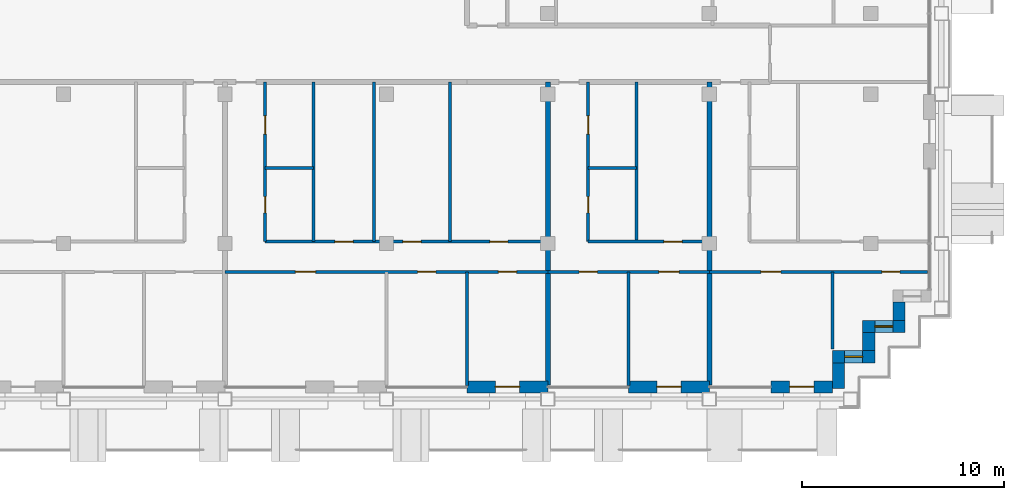
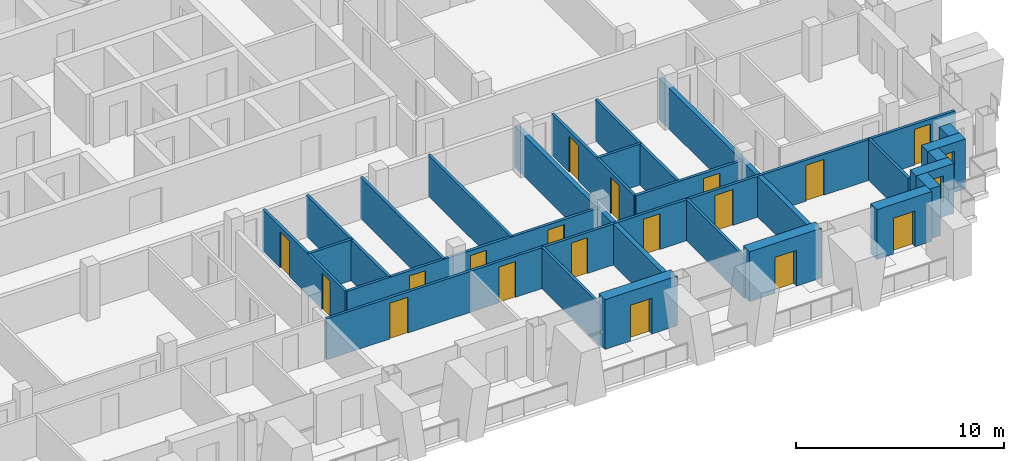
# One storey, part 9 of 16: 26 walls, 18 doors, 2 windows, 20 openings.
"""IFC4 building model written with IfcOpenShell, lengths in metres."""

from ifc_helpers import new_model, si_unit, direction, frame, frame_2d, origin, place, context, subcontext, project, spatial, rectangle, extrude, material, layer, layer_set, type_object, element, fill, save


model = new_model("IFC4")

# Units and contexts
model_context = context("Model", 3, precision=1e-05, world=origin(), true_north=direction((0.0, 1.0)))
body_context = subcontext(model_context, "Body", "Model", "MODEL_VIEW")
ifc_project = project(units=[si_unit("LENGTHUNIT", "METRE"), si_unit("AREAUNIT", "SQUARE_METRE"), si_unit("VOLUMEUNIT", "CUBIC_METRE"), si_unit("PLANEANGLEUNIT", "RADIAN"), si_unit("MASSUNIT", "GRAM", prefix="KILO")], contexts=[model_context])

# Site, building, storey
site_placement = place(None, origin())
site = spatial("IfcSite", under=ifc_project, at=site_placement, CompositionType="ELEMENT")
building_placement = place(site_placement, origin())
building = spatial("IfcBuilding", under=site, at=building_placement, Name="Vidyagriha Tower", CompositionType="ELEMENT")
storey_placement = place(building_placement, frame((0.0, 0.0, 178.10009765625)))
storey = spatial("IfcBuildingStorey", under=building, at=storey_placement, Name="L46", CompositionType="ELEMENT", Elevation=178.10009765625)

# Wall, opening, door
ifc_material_1 = material(Name="Precast concrete C40/50 with brick facing", Category="concrete")
ifc_layer_1 = layer(ifc_material_1, 0.60009765625)
ifc_layer_set_1 = layer_set([ifc_layer_1], Name="Precast concrete C40/50 with brick facing")
wall_type_1 = type_object("IfcWallType", Name="Brick-faced precast wall 600", PredefinedType="STANDARD", material=ifc_layer_set_1)
wall_1_placement = place(storey_placement, frame((14.0, -16.5, 0.0)))
wall_1 = element("IfcWall", 1, at=wall_1_placement, inside=storey, type_object=wall_type_1, Name="Brick door bay wall L46 R23.10", PredefinedType="STANDARD", context=body_context, shape_type="SweptSolid", body=[
    extrude(rectangle(XDim=4.0, YDim=0.60009765625, at=frame_2d((2.0, 0.0))), origin(), (0.0, 0.0, 1.0), 2.919921875),
])
opening_1_placement = place(wall_1_placement, frame((1.39990234375, 0.0, 0.0)))
opening_1 = element("IfcOpeningElement", 2, at=opening_1_placement, cuts=wall_1, Name="Opening D46-73", PredefinedType="OPENING", context=body_context, shape_type="SweptSolid", body=[
    extrude(rectangle(XDim=1.199951171875, YDim=2.10009765625, at=frame_2d((0.60009765625, 1.050048828125))), frame((0.0, 0.31005859375, 0.0), z_axis=(0.0, -1.0, 0.0), x_axis=(1.0, 0.0, 0.0)), (0.0, 0.0, 1.0), 0.6201171875),
])
ifc_material_2 = material(Name="Aluminium framed glazed sliding door", Category="aluminium")
door_type_1 = type_object("IfcDoorType", Name="Balcony sliding door 1200x2100", OperationType="NOTDEFINED", PredefinedType="DOOR", material=ifc_material_2)
door_1_placement = place(opening_1_placement, origin())
door_1 = element("IfcDoor", 3, at=door_1_placement, inside=storey, type_object=door_type_1, Name="Door D46-73", OperationType="SLIDING_TO_LEFT", OverallHeight=2.10009765625, OverallWidth=1.199951171875, PredefinedType="DOOR", context=body_context, shape_type="SweptSolid", body=[
    extrude(rectangle(XDim=1.199951171875, YDim=2.10009765625, at=frame_2d((0.60009765625, 1.050048828125))), frame((0.0, 0.02490234375, 0.0), z_axis=(0.0, -1.0, 0.0), x_axis=(1.0, 0.0, 0.0)), (0.0, 0.0, 1.0), 0.050048828125),
])
fill(opening_1, door_1)

wall_2_placement = place(storey_placement, frame((22.0, -16.5, 0.0)))
wall_2 = element("IfcWall", 4, at=wall_2_placement, inside=storey, type_object=wall_type_1, Name="Brick door bay wall L46 R23.12", PredefinedType="STANDARD", context=body_context, shape_type="SweptSolid", body=[
    extrude(rectangle(XDim=4.0, YDim=0.60009765625, at=frame_2d((2.0, 0.0))), origin(), (0.0, 0.0, 1.0), 2.919921875),
])
opening_2_placement = place(wall_2_placement, frame((1.39990234375, 0.0, 0.0)))
opening_2 = element("IfcOpeningElement", 5, at=opening_2_placement, cuts=wall_2, Name="Opening D46-74", PredefinedType="OPENING", context=body_context, shape_type="SweptSolid", body=[
    extrude(rectangle(XDim=1.199951171875, YDim=2.10009765625, at=frame_2d((0.60009765625, 1.050048828125))), frame((0.0, 0.31005859375, 0.0), z_axis=(0.0, -1.0, 0.0), x_axis=(1.0, 0.0, 0.0)), (0.0, 0.0, 1.0), 0.6201171875),
])
door_2_placement = place(opening_2_placement, origin())
door_2 = element("IfcDoor", 6, at=door_2_placement, inside=storey, type_object=door_type_1, Name="Door D46-74", OperationType="SLIDING_TO_LEFT", OverallHeight=2.10009765625, OverallWidth=1.199951171875, PredefinedType="DOOR", context=body_context, shape_type="SweptSolid", body=[
    extrude(rectangle(XDim=1.199951171875, YDim=2.10009765625, at=frame_2d((0.60009765625, 1.050048828125))), frame((0.0, 0.02490234375, 0.0), z_axis=(0.0, -1.0, 0.0), x_axis=(1.0, 0.0, 0.0)), (0.0, 0.0, 1.0), 0.050048828125),
])
fill(opening_2, door_2)

wall_3_placement = place(storey_placement, frame((29.050048828125, -16.5, 0.0)))
wall_3 = element("IfcWall", 7, at=wall_3_placement, inside=storey, type_object=wall_type_1, Name="Brick door bay wall L46 R23.14", PredefinedType="STANDARD", context=body_context, shape_type="SweptSolid", body=[
    extrude(rectangle(XDim=3.050048828125, YDim=0.60009765625, at=frame_2d((1.52490234375, 0.0))), origin(), (0.0, 0.0, 1.0), 2.919921875),
])
opening_3_placement = place(wall_3_placement, frame((0.925048828125, 0.0, 0.0)))
opening_3 = element("IfcOpeningElement", 8, at=opening_3_placement, cuts=wall_3, Name="Opening D46-75", PredefinedType="OPENING", context=body_context, shape_type="SweptSolid", body=[
    extrude(rectangle(XDim=1.199951171875, YDim=2.10009765625, at=frame_2d((0.60009765625, 1.050048828125))), frame((0.0, 0.31005859375, 0.0), z_axis=(0.0, -1.0, 0.0), x_axis=(1.0, 0.0, 0.0)), (0.0, 0.0, 1.0), 0.6201171875),
])
door_3_placement = place(opening_3_placement, origin())
door_3 = element("IfcDoor", 9, at=door_3_placement, inside=storey, type_object=door_type_1, Name="Door D46-75", OperationType="SLIDING_TO_LEFT", OverallHeight=2.10009765625, OverallWidth=1.199951171875, PredefinedType="DOOR", context=body_context, shape_type="SweptSolid", body=[
    extrude(rectangle(XDim=1.199951171875, YDim=2.10009765625, at=frame_2d((0.60009765625, 1.050048828125))), frame((0.0, 0.02490234375, 0.0), z_axis=(0.0, -1.0, 0.0), x_axis=(1.0, 0.0, 0.0)), (0.0, 0.0, 1.0), 0.050048828125),
])
fill(opening_3, door_3)

# Wall
wall_4_placement = place(storey_placement, frame((32.39990234375, -16.580078125, 0.0), z_axis=(0.0, 0.0, 1.0), x_axis=(0.0, 1.0, 0.0)))
element("IfcWall", 10, at=wall_4_placement, inside=storey, type_object=wall_type_1, Name="Stepped corner wall L46 R24", PredefinedType="STANDARD", context=body_context, shape_type="SweptSolid", body=[
    extrude(rectangle(XDim=1.280029296875, YDim=0.60009765625, at=frame_2d((0.64013671875, 0.0))), origin(), (0.0, 0.0, 1.0), 2.919921875),
])

# Wall, opening, window
wall_5_placement = place(storey_placement, frame((32.10009765625, -15.0, 0.0)))
wall_5 = element("IfcWall", 11, at=wall_5_placement, inside=storey, type_object=wall_type_1, Name="Stepped corner wall L46 R25", PredefinedType="STANDARD", context=body_context, shape_type="SweptSolid", body=[
    extrude(rectangle(XDim=2.099853515625, YDim=0.60009765625, at=frame_2d((1.0498046875, 0.0))), origin(), (0.0, 0.0, 1.0), 2.919921875),
])
opening_4_placement = place(wall_5_placement, frame((0.60009765625, 0.0, 0.89990234375)))
opening_4 = element("IfcOpeningElement", 12, at=opening_4_placement, cuts=wall_5, Name="Opening WN1", PredefinedType="OPENING", context=body_context, shape_type="SweptSolid", body=[
    extrude(rectangle(XDim=0.89990234375, YDim=1.5, at=frame_2d((0.449951171875, 0.75))), frame((0.0, 0.31005859375, 0.0), z_axis=(0.0, -1.0, 0.0), x_axis=(1.0, 0.0, 0.0)), (0.0, 0.0, 1.0), 0.6201171875),
])
ifc_material_3 = material(Name="Aluminium and glass window", Category="aluminium")
window_type = type_object("IfcWindowType", Name="Reveal window 900x1500", PartitioningType="NOTDEFINED", PredefinedType="WINDOW", material=ifc_material_3)
window_1_placement = place(opening_4_placement, origin())
window_1 = element("IfcWindow", 13, at=window_1_placement, inside=storey, type_object=window_type, Name="Reveal window L46 R25", OverallHeight=1.5, OverallWidth=0.89990234375, PartitioningType="SINGLE_PANEL", PredefinedType="WINDOW", context=body_context, shape_type="SweptSolid", body=[
    extrude(rectangle(XDim=0.89990234375, YDim=1.5, at=frame_2d((0.449951171875, 0.75))), frame((0.0, 0.030029296875, 0.0), z_axis=(0.0, -1.0, 0.0), x_axis=(1.0, 0.0, 0.0)), (0.0, 0.0, 1.0), 0.06005859375),
])
fill(opening_4, window_1)

# Wall
wall_6_placement = place(storey_placement, frame((33.89990234375, -14.699951171875, 0.0), z_axis=(0.0, 0.0, 1.0), x_axis=(0.0, 1.0, 0.0)))
element("IfcWall", 14, at=wall_6_placement, inside=storey, type_object=wall_type_1, Name="Stepped corner wall L46 R26", PredefinedType="STANDARD", context=body_context, shape_type="SweptSolid", body=[
    extrude(rectangle(XDim=0.89990234375, YDim=0.60009765625, at=frame_2d((0.449951171875, 0.0))), origin(), (0.0, 0.0, 1.0), 2.919921875),
])

# Wall, opening, window
wall_7_placement = place(storey_placement, frame((33.60009765625, -13.5, 0.0)))
wall_7 = element("IfcWall", 15, at=wall_7_placement, inside=storey, type_object=wall_type_1, Name="Stepped corner wall L46 R27", PredefinedType="STANDARD", context=body_context, shape_type="SweptSolid", body=[
    extrude(rectangle(XDim=2.099853515625, YDim=0.60009765625, at=frame_2d((1.0498046875, 0.0))), origin(), (0.0, 0.0, 1.0), 2.919921875),
])
opening_5_placement = place(wall_7_placement, frame((0.60009765625, 0.0, 0.89990234375)))
opening_5 = element("IfcOpeningElement", 16, at=opening_5_placement, cuts=wall_7, Name="Opening WN1", PredefinedType="OPENING", context=body_context, shape_type="SweptSolid", body=[
    extrude(rectangle(XDim=0.89990234375, YDim=1.5, at=frame_2d((0.449951171875, 0.75))), frame((0.0, 0.31005859375, 0.0), z_axis=(0.0, -1.0, 0.0), x_axis=(1.0, 0.0, 0.0)), (0.0, 0.0, 1.0), 0.6201171875),
])
window_2_placement = place(opening_5_placement, origin())
window_2 = element("IfcWindow", 17, at=window_2_placement, inside=storey, type_object=window_type, Name="Reveal window L46 R27", OverallHeight=1.5, OverallWidth=0.89990234375, PartitioningType="SINGLE_PANEL", PredefinedType="WINDOW", context=body_context, shape_type="SweptSolid", body=[
    extrude(rectangle(XDim=0.89990234375, YDim=1.5, at=frame_2d((0.449951171875, 0.75))), frame((0.0, 0.030029296875, 0.0), z_axis=(0.0, -1.0, 0.0), x_axis=(1.0, 0.0, 0.0)), (0.0, 0.0, 1.0), 0.06005859375),
])
fill(opening_5, window_2)

# Walls
wall_8_placement = place(storey_placement, frame((35.39990234375, -13.199951171875, 0.0), z_axis=(0.0, 0.0, 1.0), x_axis=(0.0, 1.0, 0.0)))
element("IfcWall", 18, at=wall_8_placement, inside=storey, type_object=wall_type_1, Name="Stepped corner wall L46 R28", PredefinedType="STANDARD", context=body_context, shape_type="SweptSolid", body=[
    extrude(rectangle(XDim=0.89990234375, YDim=0.60009765625, at=frame_2d((0.449951171875, 0.0))), origin(), (0.0, 0.0, 1.0), 2.919921875),
])
ifc_material_4 = material(Name="Fired clay brick masonry", Category="masonry")
ifc_layer_2 = layer(ifc_material_4, 0.25)
ifc_layer_set_2 = layer_set([ifc_layer_2], Name="Fired clay brick masonry")
wall_type_2 = type_object("IfcWallType", Name="Fired clay brick demising wall 250", PredefinedType="PARTITIONING", material=ifc_layer_set_2)
for number, where, z_axis, x_axis, name in (
    (19, (18.0, -1.39990234375, 0.0), (0.0, 0.0, 1.0), (0.0, -1.0, 0.0), "Wall all-L46-w054"),
    (20, (26.0, -1.39990234375, 0.0), (0.0, 0.0, 1.0), (0.0, -1.0, 0.0), "Wall all-L46-w067"),
):
    element("IfcWall", number, at=place(storey_placement, frame(where, z_axis=z_axis, x_axis=x_axis)), inside=storey, type_object=wall_type_2, Name=name, PredefinedType="PARTITIONING", context=body_context, shape_type="SweptSolid", body=[
        extrude(rectangle(XDim=15.010009765625, YDim=0.25, at=frame_2d((7.5048828125, 0.0))), origin(), (0.0, 0.0, 1.0), 2.39990234375),
    ])
ifc_material_5 = material(Name="Gypsum board partition")
ifc_layer_3 = layer(ifc_material_5, 0.14990234375)
ifc_layer_set_3 = layer_set([ifc_layer_3], Name="Gypsum board partition")
wall_type_3 = type_object("IfcWallType", Name="Gypsum board partition 150", PredefinedType="PARTITIONING", material=ifc_layer_set_3)
wall_9_placement = place(storey_placement, frame((6.39990234375, -5.64990234375, 0.0), z_axis=(0.0, 0.0, 1.0), x_axis=(-1.0, 0.0, 0.0)))
element("IfcWall", 21, at=wall_9_placement, inside=storey, type_object=wall_type_3, Name="Wall all-L46-w026", PredefinedType="PARTITIONING", context=body_context, shape_type="SweptSolid", body=[
    extrude(rectangle(XDim=2.39990234375, YDim=0.14990234375, at=frame_2d((1.199951171875, 0.0))), origin(), (0.0, 0.0, 1.0), 2.39990234375),
])
for number, where, z_axis, x_axis, name in (
    (22, (6.39990234375, -1.39990234375, 0.0), (0.0, 0.0, 1.0), (0.0, -1.0, 0.0), "Wall all-L46-w027"),
    (23, (9.39990234375, -1.39990234375, 0.0), (0.0, 0.0, 1.0), (0.0, -1.0, 0.0), "Wall all-L46-w028"),
    (24, (13.14990234375, -1.39990234375, 0.0), (0.0, 0.0, 1.0), (0.0, -1.0, 0.0), "Wall all-L46-w029"),
):
    element("IfcWall", number, at=place(storey_placement, frame(where, z_axis=z_axis, x_axis=x_axis)), inside=storey, type_object=wall_type_3, Name=name, PredefinedType="PARTITIONING", context=body_context, shape_type="SweptSolid", body=[
        extrude(rectangle(XDim=7.900146484375, YDim=0.14990234375, at=frame_2d((3.9501953125, 0.0))), origin(), (0.0, 0.0, 1.0), 2.39990234375),
    ])

# Wall, openings, doors
wall_10_placement = place(storey_placement, frame((4.0, -9.300048828125, 0.0)))
wall_10 = element("IfcWall", 25, at=wall_10_placement, inside=storey, type_object=wall_type_3, Name="Wall all-L46-w030", PredefinedType="PARTITIONING", context=body_context, shape_type="SweptSolid", body=[
    extrude(rectangle(XDim=14.0, YDim=0.14990234375, at=frame_2d((7.0, 0.0))), origin(), (0.0, 0.0, 1.0), 2.39990234375),
])
opening_6_placement = place(wall_10_placement, frame((3.449951171875, 0.0, 0.0)))
opening_6 = element("IfcOpeningElement", 26, at=opening_6_placement, cuts=wall_10, Name="Opening D46-31", PredefinedType="OPENING", context=body_context, shape_type="SweptSolid", body=[
    extrude(rectangle(XDim=0.89990234375, YDim=2.10009765625, at=frame_2d((0.449951171875, 1.050048828125))), frame((0.0, 0.0849609375, 0.0), z_axis=(0.0, -1.0, 0.0), x_axis=(1.0, 0.0, 0.0)), (0.0, 0.0, 1.0), 0.169921875),
])
opening_7_placement = place(wall_10_placement, frame((6.824951171875, 0.0, 0.0)))
opening_7 = element("IfcOpeningElement", 27, at=opening_7_placement, cuts=wall_10, Name="Opening D46-32", PredefinedType="OPENING", context=body_context, shape_type="SweptSolid", body=[
    extrude(rectangle(XDim=0.89990234375, YDim=2.10009765625, at=frame_2d((0.449951171875, 1.050048828125))), frame((0.0, 0.0849609375, 0.0), z_axis=(0.0, -1.0, 0.0), x_axis=(1.0, 0.0, 0.0)), (0.0, 0.0, 1.0), 0.169921875),
])
opening_8_placement = place(wall_10_placement, frame((11.125, 0.0, 0.0)))
opening_8 = element("IfcOpeningElement", 28, at=opening_8_placement, cuts=wall_10, Name="Opening D46-33", PredefinedType="OPENING", context=body_context, shape_type="SweptSolid", body=[
    extrude(rectangle(XDim=0.89990234375, YDim=2.10009765625, at=frame_2d((0.449951171875, 1.050048828125))), frame((0.0, 0.0849609375, 0.0), z_axis=(0.0, -1.0, 0.0), x_axis=(1.0, 0.0, 0.0)), (0.0, 0.0, 1.0), 0.169921875),
])
ifc_material_6 = material(Name="Timber door leaf", Category="wood")
door_type_2 = type_object("IfcDoorType", Name="Room door 900x2100", OperationType="NOTDEFINED", PredefinedType="DOOR", material=ifc_material_6)
door_4_placement = place(opening_6_placement, origin())
door_4 = element("IfcDoor", 29, at=door_4_placement, inside=storey, type_object=door_type_2, Name="Door D46-31", OperationType="SINGLE_SWING_RIGHT", OverallHeight=2.10009765625, OverallWidth=0.89990234375, PredefinedType="DOOR", context=body_context, shape_type="SweptSolid", body=[
    extrude(rectangle(XDim=0.89990234375, YDim=2.10009765625, at=frame_2d((0.449951171875, 1.050048828125))), frame((0.0, 0.02490234375, 0.0), z_axis=(0.0, -1.0, 0.0), x_axis=(1.0, 0.0, 0.0)), (0.0, 0.0, 1.0), 0.050048828125),
])
fill(opening_6, door_4)
door_5_placement = place(opening_7_placement, origin())
door_5 = element("IfcDoor", 30, at=door_5_placement, inside=storey, type_object=door_type_2, Name="Door D46-32", OperationType="SINGLE_SWING_RIGHT", OverallHeight=2.10009765625, OverallWidth=0.89990234375, PredefinedType="DOOR", context=body_context, shape_type="SweptSolid", body=[
    extrude(rectangle(XDim=0.89990234375, YDim=2.10009765625, at=frame_2d((0.449951171875, 1.050048828125))), frame((0.0, 0.02490234375, 0.0), z_axis=(0.0, -1.0, 0.0), x_axis=(1.0, 0.0, 0.0)), (0.0, 0.0, 1.0), 0.050048828125),
])
fill(opening_7, door_5)
door_6_placement = place(opening_8_placement, origin())
door_6 = element("IfcDoor", 31, at=door_6_placement, inside=storey, type_object=door_type_2, Name="Door D46-33", OperationType="SINGLE_SWING_LEFT", OverallHeight=2.10009765625, OverallWidth=0.89990234375, PredefinedType="DOOR", context=body_context, shape_type="SweptSolid", body=[
    extrude(rectangle(XDim=0.89990234375, YDim=2.10009765625, at=frame_2d((0.449951171875, 1.050048828125))), frame((0.0, 0.02490234375, 0.0), z_axis=(0.0, -1.0, 0.0), x_axis=(1.0, 0.0, 0.0)), (0.0, 0.0, 1.0), 0.050048828125),
])
fill(opening_8, door_6)

wall_11_placement = place(storey_placement, frame((18.0, -10.800048828125, 0.0), z_axis=(0.0, 0.0, 1.0), x_axis=(-1.0, 0.0, 0.0)))
wall_11 = element("IfcWall", 32, at=wall_11_placement, inside=storey, type_object=wall_type_3, Name="Wall all-L46-w034", PredefinedType="PARTITIONING", context=body_context, shape_type="SweptSolid", body=[
    extrude(rectangle(XDim=16.0, YDim=0.14990234375, at=frame_2d((8.0, 0.0))), origin(), (0.0, 0.0, 1.0), 2.39990234375),
])
opening_9_placement = place(wall_11_placement, frame((11.5, 0.0, 0.0)))
opening_9 = element("IfcOpeningElement", 33, at=opening_9_placement, cuts=wall_11, Name="Opening D46-34", PredefinedType="OPENING", context=body_context, shape_type="SweptSolid", body=[
    extrude(rectangle(XDim=1.0, YDim=2.10009765625, at=frame_2d((0.5, 1.050048828125))), frame((0.0, 0.0849609375, 0.0), z_axis=(0.0, -1.0, 0.0), x_axis=(1.0, 0.0, 0.0)), (0.0, 0.0, 1.0), 0.169921875),
])
opening_10_placement = place(wall_11_placement, frame((5.550048828125, 0.0, 0.0)))
opening_10 = element("IfcOpeningElement", 34, at=opening_10_placement, cuts=wall_11, Name="Opening D46-35", PredefinedType="OPENING", context=body_context, shape_type="SweptSolid", body=[
    extrude(rectangle(XDim=0.89990234375, YDim=2.10009765625, at=frame_2d((0.449951171875, 1.050048828125))), frame((0.0, 0.0849609375, 0.0), z_axis=(0.0, -1.0, 0.0), x_axis=(1.0, 0.0, 0.0)), (0.0, 0.0, 1.0), 0.169921875),
])
opening_11_placement = place(wall_11_placement, frame((1.550048828125, 0.0, 0.0)))
opening_11 = element("IfcOpeningElement", 35, at=opening_11_placement, cuts=wall_11, Name="Opening D46-36", PredefinedType="OPENING", context=body_context, shape_type="SweptSolid", body=[
    extrude(rectangle(XDim=0.89990234375, YDim=2.10009765625, at=frame_2d((0.449951171875, 1.050048828125))), frame((0.0, 0.0849609375, 0.0), z_axis=(0.0, -1.0, 0.0), x_axis=(1.0, 0.0, 0.0)), (0.0, 0.0, 1.0), 0.169921875),
])
ifc_material_7 = material(Name="Timber door leaf", Category="wood")
door_type_3 = type_object("IfcDoorType", Name="Room door 1000x2100", OperationType="NOTDEFINED", PredefinedType="DOOR", material=ifc_material_7)
door_7_placement = place(opening_9_placement, origin())
door_7 = element("IfcDoor", 36, at=door_7_placement, inside=storey, type_object=door_type_3, Name="Door D46-34", OperationType="SINGLE_SWING_RIGHT", OverallHeight=2.10009765625, OverallWidth=1.0, PredefinedType="DOOR", context=body_context, shape_type="SweptSolid", body=[
    extrude(rectangle(XDim=1.0, YDim=2.10009765625, at=frame_2d((0.5, 1.050048828125))), frame((0.0, 0.02490234375, 0.0), z_axis=(0.0, -1.0, 0.0), x_axis=(1.0, 0.0, 0.0)), (0.0, 0.0, 1.0), 0.050048828125),
])
fill(opening_9, door_7)
door_8_placement = place(opening_10_placement, origin())
door_8 = element("IfcDoor", 37, at=door_8_placement, inside=storey, type_object=door_type_2, Name="Door D46-35", OperationType="SINGLE_SWING_RIGHT", OverallHeight=2.10009765625, OverallWidth=0.89990234375, PredefinedType="DOOR", context=body_context, shape_type="SweptSolid", body=[
    extrude(rectangle(XDim=0.89990234375, YDim=2.10009765625, at=frame_2d((0.449951171875, 1.050048828125))), frame((0.0, 0.02490234375, 0.0), z_axis=(0.0, -1.0, 0.0), x_axis=(1.0, 0.0, 0.0)), (0.0, 0.0, 1.0), 0.050048828125),
])
fill(opening_10, door_8)
door_9_placement = place(opening_11_placement, origin())
door_9 = element("IfcDoor", 38, at=door_9_placement, inside=storey, type_object=door_type_2, Name="Door D46-36", OperationType="SINGLE_SWING_RIGHT", OverallHeight=2.10009765625, OverallWidth=0.89990234375, PredefinedType="DOOR", context=body_context, shape_type="SweptSolid", body=[
    extrude(rectangle(XDim=0.89990234375, YDim=2.10009765625, at=frame_2d((0.449951171875, 1.050048828125))), frame((0.0, 0.02490234375, 0.0), z_axis=(0.0, -1.0, 0.0), x_axis=(1.0, 0.0, 0.0)), (0.0, 0.0, 1.0), 0.050048828125),
])
fill(opening_11, door_9)

# Walls
wall_12_placement = place(storey_placement, frame((14.0, -10.800048828125, 0.0), z_axis=(0.0, 0.0, 1.0), x_axis=(0.0, -1.0, 0.0)))
element("IfcWall", 39, at=wall_12_placement, inside=storey, type_object=wall_type_3, Name="Wall all-L46-w039", PredefinedType="PARTITIONING", context=body_context, shape_type="SweptSolid", body=[
    extrude(rectangle(XDim=5.620849609375, YDim=0.14990234375, at=frame_2d((2.810546875, 0.0))), origin(), (0.0, 0.0, 1.0), 2.39990234375),
])
wall_13_placement = place(storey_placement, frame((22.39990234375, -5.64990234375, 0.0), z_axis=(0.0, 0.0, 1.0), x_axis=(-1.0, 0.0, 0.0)))
element("IfcWall", 40, at=wall_13_placement, inside=storey, type_object=wall_type_3, Name="Wall all-L46-w045", PredefinedType="PARTITIONING", context=body_context, shape_type="SweptSolid", body=[
    extrude(rectangle(XDim=2.39990234375, YDim=0.14990234375, at=frame_2d((1.199951171875, 0.0))), origin(), (0.0, 0.0, 1.0), 2.39990234375),
])
wall_14_placement = place(storey_placement, frame((22.39990234375, -1.39990234375, 0.0), z_axis=(0.0, 0.0, 1.0), x_axis=(0.0, -1.0, 0.0)))
element("IfcWall", 41, at=wall_14_placement, inside=storey, type_object=wall_type_3, Name="Wall all-L46-w046", PredefinedType="PARTITIONING", context=body_context, shape_type="SweptSolid", body=[
    extrude(rectangle(XDim=7.900146484375, YDim=0.14990234375, at=frame_2d((3.9501953125, 0.0))), origin(), (0.0, 0.0, 1.0), 2.39990234375),
])

# Wall, opening, door
wall_15_placement = place(storey_placement, frame((20.0, -9.300048828125, 0.0)))
wall_15 = element("IfcWall", 42, at=wall_15_placement, inside=storey, type_object=wall_type_3, Name="Wall all-L46-w047", PredefinedType="PARTITIONING", context=body_context, shape_type="SweptSolid", body=[
    extrude(rectangle(XDim=6.0, YDim=0.14990234375, at=frame_2d((3.0, 0.0))), origin(), (0.0, 0.0, 1.0), 2.39990234375),
])
opening_12_placement = place(wall_15_placement, frame((3.75, 0.0, 0.0)))
opening_12 = element("IfcOpeningElement", 43, at=opening_12_placement, cuts=wall_15, Name="Opening D46-40", PredefinedType="OPENING", context=body_context, shape_type="SweptSolid", body=[
    extrude(rectangle(XDim=0.89990234375, YDim=2.10009765625, at=frame_2d((0.449951171875, 1.050048828125))), frame((0.0, 0.0849609375, 0.0), z_axis=(0.0, -1.0, 0.0), x_axis=(1.0, 0.0, 0.0)), (0.0, 0.0, 1.0), 0.169921875),
])
door_10_placement = place(opening_12_placement, origin())
door_10 = element("IfcDoor", 44, at=door_10_placement, inside=storey, type_object=door_type_2, Name="Door D46-40", OperationType="SINGLE_SWING_RIGHT", OverallHeight=2.10009765625, OverallWidth=0.89990234375, PredefinedType="DOOR", context=body_context, shape_type="SweptSolid", body=[
    extrude(rectangle(XDim=0.89990234375, YDim=2.10009765625, at=frame_2d((0.449951171875, 1.050048828125))), frame((0.0, 0.02490234375, 0.0), z_axis=(0.0, -1.0, 0.0), x_axis=(1.0, 0.0, 0.0)), (0.0, 0.0, 1.0), 0.050048828125),
])
fill(opening_12, door_10)

# Wall, openings, doors
wall_16_placement = place(storey_placement, frame((26.0, -10.800048828125, 0.0), z_axis=(0.0, 0.0, 1.0), x_axis=(-1.0, 0.0, 0.0)))
wall_16 = element("IfcWall", 45, at=wall_16_placement, inside=storey, type_object=wall_type_3, Name="Wall all-L46-w049", PredefinedType="PARTITIONING", context=body_context, shape_type="SweptSolid", body=[
    extrude(rectangle(XDim=8.0, YDim=0.14990234375, at=frame_2d((4.0, 0.0))), origin(), (0.0, 0.0, 1.0), 2.39990234375),
])
opening_13_placement = place(wall_16_placement, frame((5.550048828125, 0.0, 0.0)))
opening_13 = element("IfcOpeningElement", 46, at=opening_13_placement, cuts=wall_16, Name="Opening D46-41", PredefinedType="OPENING", context=body_context, shape_type="SweptSolid", body=[
    extrude(rectangle(XDim=0.89990234375, YDim=2.10009765625, at=frame_2d((0.449951171875, 1.050048828125))), frame((0.0, 0.0849609375, 0.0), z_axis=(0.0, -1.0, 0.0), x_axis=(1.0, 0.0, 0.0)), (0.0, 0.0, 1.0), 0.169921875),
])
opening_14_placement = place(wall_16_placement, frame((1.5, 0.0, 0.0)))
opening_14 = element("IfcOpeningElement", 47, at=opening_14_placement, cuts=wall_16, Name="Opening D46-42", PredefinedType="OPENING", context=body_context, shape_type="SweptSolid", body=[
    extrude(rectangle(XDim=1.0, YDim=2.10009765625, at=frame_2d((0.5, 1.050048828125))), frame((0.0, 0.0849609375, 0.0), z_axis=(0.0, -1.0, 0.0), x_axis=(1.0, 0.0, 0.0)), (0.0, 0.0, 1.0), 0.169921875),
])
door_11_placement = place(opening_14_placement, origin())
door_11 = element("IfcDoor", 48, at=door_11_placement, inside=storey, type_object=door_type_3, Name="Door D46-42", OperationType="SINGLE_SWING_RIGHT", OverallHeight=2.10009765625, OverallWidth=1.0, PredefinedType="DOOR", context=body_context, shape_type="SweptSolid", body=[
    extrude(rectangle(XDim=1.0, YDim=2.10009765625, at=frame_2d((0.5, 1.050048828125))), frame((0.0, 0.02490234375, 0.0), z_axis=(0.0, -1.0, 0.0), x_axis=(1.0, 0.0, 0.0)), (0.0, 0.0, 1.0), 0.050048828125),
])
fill(opening_14, door_11)
door_12_placement = place(opening_13_placement, origin())
door_12 = element("IfcDoor", 49, at=door_12_placement, inside=storey, type_object=door_type_2, Name="Door D46-41", OperationType="SINGLE_SWING_RIGHT", OverallHeight=2.10009765625, OverallWidth=0.89990234375, PredefinedType="DOOR", context=body_context, shape_type="SweptSolid", body=[
    extrude(rectangle(XDim=0.89990234375, YDim=2.10009765625, at=frame_2d((0.449951171875, 1.050048828125))), frame((0.0, 0.02490234375, 0.0), z_axis=(0.0, -1.0, 0.0), x_axis=(1.0, 0.0, 0.0)), (0.0, 0.0, 1.0), 0.050048828125),
])
fill(opening_13, door_12)

# Wall
wall_17_placement = place(storey_placement, frame((22.0, -10.800048828125, 0.0), z_axis=(0.0, 0.0, 1.0), x_axis=(0.0, -1.0, 0.0)))
element("IfcWall", 50, at=wall_17_placement, inside=storey, type_object=wall_type_3, Name="Wall all-L46-w052", PredefinedType="PARTITIONING", context=body_context, shape_type="SweptSolid", body=[
    extrude(rectangle(XDim=5.620849609375, YDim=0.14990234375, at=frame_2d((2.810546875, 0.0))), origin(), (0.0, 0.0, 1.0), 2.39990234375),
])

# Wall, openings, doors
wall_18_placement = place(storey_placement, frame((36.820068359375, -10.800048828125, 0.0), z_axis=(0.0, 0.0, 1.0), x_axis=(-1.0, 0.0, 0.0)))
wall_18 = element("IfcWall", 51, at=wall_18_placement, inside=storey, type_object=wall_type_3, Name="Wall all-L46-w062", PredefinedType="PARTITIONING", context=body_context, shape_type="SweptSolid", body=[
    extrude(rectangle(XDim=10.820068359375, YDim=0.14990234375, at=frame_2d((5.41015625, 0.0))), origin(), (0.0, 0.0, 1.0), 2.39990234375),
])
opening_15_placement = place(wall_18_placement, frame((7.27001953125, 0.0, 0.0)))
opening_15 = element("IfcOpeningElement", 52, at=opening_15_placement, cuts=wall_18, Name="Opening D46-47", PredefinedType="OPENING", context=body_context, shape_type="SweptSolid", body=[
    extrude(rectangle(XDim=1.0, YDim=2.10009765625, at=frame_2d((0.5, 1.050048828125))), frame((0.0, 0.0849609375, 0.0), z_axis=(0.0, -1.0, 0.0), x_axis=(1.0, 0.0, 0.0)), (0.0, 0.0, 1.0), 0.169921875),
])
opening_16_placement = place(wall_18_placement, frame((1.373046875, 0.0, 0.0)))
opening_16 = element("IfcOpeningElement", 53, at=opening_16_placement, cuts=wall_18, Name="Opening D46-48", PredefinedType="OPENING", context=body_context, shape_type="SweptSolid", body=[
    extrude(rectangle(XDim=0.89990234375, YDim=2.10009765625, at=frame_2d((0.449951171875, 1.050048828125))), frame((0.0, 0.0849609375, 0.0), z_axis=(0.0, -1.0, 0.0), x_axis=(1.0, 0.0, 0.0)), (0.0, 0.0, 1.0), 0.169921875),
])
door_13_placement = place(opening_15_placement, origin())
door_13 = element("IfcDoor", 54, at=door_13_placement, inside=storey, type_object=door_type_3, Name="Door D46-47", OperationType="SINGLE_SWING_RIGHT", OverallHeight=2.10009765625, OverallWidth=1.0, PredefinedType="DOOR", context=body_context, shape_type="SweptSolid", body=[
    extrude(rectangle(XDim=1.0, YDim=2.10009765625, at=frame_2d((0.5, 1.050048828125))), frame((0.0, 0.02490234375, 0.0), z_axis=(0.0, -1.0, 0.0), x_axis=(1.0, 0.0, 0.0)), (0.0, 0.0, 1.0), 0.050048828125),
])
fill(opening_15, door_13)
door_14_placement = place(opening_16_placement, origin())
door_14 = element("IfcDoor", 55, at=door_14_placement, inside=storey, type_object=door_type_2, Name="Door D46-48", OperationType="SINGLE_SWING_LEFT", OverallHeight=2.10009765625, OverallWidth=0.89990234375, PredefinedType="DOOR", context=body_context, shape_type="SweptSolid", body=[
    extrude(rectangle(XDim=0.89990234375, YDim=2.10009765625, at=frame_2d((0.449951171875, 1.050048828125))), frame((0.0, 0.02490234375, 0.0), z_axis=(0.0, -1.0, 0.0), x_axis=(1.0, 0.0, 0.0)), (0.0, 0.0, 1.0), 0.050048828125),
])
fill(opening_16, door_14)

# Wall
wall_19_placement = place(storey_placement, frame((32.10009765625, -10.800048828125, 0.0), z_axis=(0.0, 0.0, 1.0), x_axis=(0.0, -1.0, 0.0)))
element("IfcWall", 56, at=wall_19_placement, inside=storey, type_object=wall_type_3, Name="Wall all-L46-w065", PredefinedType="PARTITIONING", context=body_context, shape_type="SweptSolid", body=[
    extrude(rectangle(XDim=3.820068359375, YDim=0.14990234375, at=frame_2d((1.91015625, 0.0))), origin(), (0.0, 0.0, 1.0), 2.39990234375),
])

# Wall, openings, doors
ifc_material_8 = material(Name="Moisture resistant gypsum board partition")
ifc_layer_4 = layer(ifc_material_8, 0.14990234375)
ifc_layer_set_4 = layer_set([ifc_layer_4], Name="Moisture resistant gypsum board partition")
wall_type_4 = type_object("IfcWallType", Name="Gypsum board wet-area partition 150", PredefinedType="PARTITIONING", material=ifc_layer_set_4)
wall_20_placement = place(storey_placement, frame((4.0, -1.39990234375, 0.0), z_axis=(0.0, 0.0, 1.0), x_axis=(0.0, -1.0, 0.0)))
wall_20 = element("IfcWall", 57, at=wall_20_placement, inside=storey, type_object=wall_type_4, Name="Wall all-L46-w023", PredefinedType="PARTITIONING", context=body_context, shape_type="SweptSolid", body=[
    extrude(rectangle(XDim=7.900146484375, YDim=0.14990234375, at=frame_2d((3.9501953125, 0.0))), origin(), (0.0, 0.0, 1.0), 2.39990234375),
])
opening_17_placement = place(wall_20_placement, frame((1.675048828125, 0.0, 0.0)))
opening_17 = element("IfcOpeningElement", 58, at=opening_17_placement, cuts=wall_20, Name="Opening D46-29", PredefinedType="OPENING", context=body_context, shape_type="SweptSolid", body=[
    extrude(rectangle(XDim=0.89990234375, YDim=2.10009765625, at=frame_2d((0.449951171875, 1.050048828125))), frame((0.0, 0.0849609375, 0.0), z_axis=(0.0, -1.0, 0.0), x_axis=(1.0, 0.0, 0.0)), (0.0, 0.0, 1.0), 0.169921875),
])
opening_18_placement = place(wall_20_placement, frame((5.675048828125, 0.0, 0.0)))
opening_18 = element("IfcOpeningElement", 59, at=opening_18_placement, cuts=wall_20, Name="Opening D46-30", PredefinedType="OPENING", context=body_context, shape_type="SweptSolid", body=[
    extrude(rectangle(XDim=0.800048828125, YDim=2.10009765625, at=frame_2d((0.39990234375, 1.050048828125))), frame((0.0, 0.0849609375, 0.0), z_axis=(0.0, -1.0, 0.0), x_axis=(1.0, 0.0, 0.0)), (0.0, 0.0, 1.0), 0.169921875),
])
ifc_material_9 = material(Name="Timber door leaf", Category="wood")
door_type_4 = type_object("IfcDoorType", Name="Bathroom door 800x2100", OperationType="NOTDEFINED", PredefinedType="DOOR", material=ifc_material_9)
door_15_placement = place(opening_18_placement, origin())
door_15 = element("IfcDoor", 60, at=door_15_placement, inside=storey, type_object=door_type_4, Name="Door D46-30", OperationType="SINGLE_SWING_LEFT", OverallHeight=2.10009765625, OverallWidth=0.800048828125, PredefinedType="DOOR", context=body_context, shape_type="SweptSolid", body=[
    extrude(rectangle(XDim=0.800048828125, YDim=2.10009765625, at=frame_2d((0.39990234375, 1.050048828125))), frame((0.0, 0.02490234375, 0.0), z_axis=(0.0, -1.0, 0.0), x_axis=(1.0, 0.0, 0.0)), (0.0, 0.0, 1.0), 0.050048828125),
])
fill(opening_18, door_15)
ifc_material_10 = material(Name="Timber door leaf", Category="wood")
door_type_5 = type_object("IfcDoorType", Name="Kitchen door 900x2100", OperationType="NOTDEFINED", PredefinedType="DOOR", material=ifc_material_10)
door_16_placement = place(opening_17_placement, origin())
door_16 = element("IfcDoor", 61, at=door_16_placement, inside=storey, type_object=door_type_5, Name="Door D46-29", OperationType="SINGLE_SWING_LEFT", OverallHeight=2.10009765625, OverallWidth=0.89990234375, PredefinedType="DOOR", context=body_context, shape_type="SweptSolid", body=[
    extrude(rectangle(XDim=0.89990234375, YDim=2.10009765625, at=frame_2d((0.449951171875, 1.050048828125))), frame((0.0, 0.02490234375, 0.0), z_axis=(0.0, -1.0, 0.0), x_axis=(1.0, 0.0, 0.0)), (0.0, 0.0, 1.0), 0.050048828125),
])
fill(opening_17, door_16)

wall_21_placement = place(storey_placement, frame((20.0, -1.39990234375, 0.0), z_axis=(0.0, 0.0, 1.0), x_axis=(0.0, -1.0, 0.0)))
wall_21 = element("IfcWall", 62, at=wall_21_placement, inside=storey, type_object=wall_type_4, Name="Wall all-L46-w042", PredefinedType="PARTITIONING", context=body_context, shape_type="SweptSolid", body=[
    extrude(rectangle(XDim=7.900146484375, YDim=0.14990234375, at=frame_2d((3.9501953125, 0.0))), origin(), (0.0, 0.0, 1.0), 2.39990234375),
])
opening_19_placement = place(wall_21_placement, frame((1.675048828125, 0.0, 0.0)))
opening_19 = element("IfcOpeningElement", 63, at=opening_19_placement, cuts=wall_21, Name="Opening D46-38", PredefinedType="OPENING", context=body_context, shape_type="SweptSolid", body=[
    extrude(rectangle(XDim=0.89990234375, YDim=2.10009765625, at=frame_2d((0.449951171875, 1.050048828125))), frame((0.0, 0.0849609375, 0.0), z_axis=(0.0, -1.0, 0.0), x_axis=(1.0, 0.0, 0.0)), (0.0, 0.0, 1.0), 0.169921875),
])
opening_20_placement = place(wall_21_placement, frame((5.675048828125, 0.0, 0.0)))
opening_20 = element("IfcOpeningElement", 64, at=opening_20_placement, cuts=wall_21, Name="Opening D46-39", PredefinedType="OPENING", context=body_context, shape_type="SweptSolid", body=[
    extrude(rectangle(XDim=0.800048828125, YDim=2.10009765625, at=frame_2d((0.39990234375, 1.050048828125))), frame((0.0, 0.0849609375, 0.0), z_axis=(0.0, -1.0, 0.0), x_axis=(1.0, 0.0, 0.0)), (0.0, 0.0, 1.0), 0.169921875),
])
door_17_placement = place(opening_20_placement, origin())
door_17 = element("IfcDoor", 65, at=door_17_placement, inside=storey, type_object=door_type_4, Name="Door D46-39", OperationType="SINGLE_SWING_LEFT", OverallHeight=2.10009765625, OverallWidth=0.800048828125, PredefinedType="DOOR", context=body_context, shape_type="SweptSolid", body=[
    extrude(rectangle(XDim=0.800048828125, YDim=2.10009765625, at=frame_2d((0.39990234375, 1.050048828125))), frame((0.0, 0.02490234375, 0.0), z_axis=(0.0, -1.0, 0.0), x_axis=(1.0, 0.0, 0.0)), (0.0, 0.0, 1.0), 0.050048828125),
])
fill(opening_20, door_17)
door_18_placement = place(opening_19_placement, origin())
door_18 = element("IfcDoor", 66, at=door_18_placement, inside=storey, type_object=door_type_5, Name="Door D46-38", OperationType="SINGLE_SWING_LEFT", OverallHeight=2.10009765625, OverallWidth=0.89990234375, PredefinedType="DOOR", context=body_context, shape_type="SweptSolid", body=[
    extrude(rectangle(XDim=0.89990234375, YDim=2.10009765625, at=frame_2d((0.449951171875, 1.050048828125))), frame((0.0, 0.02490234375, 0.0), z_axis=(0.0, -1.0, 0.0), x_axis=(1.0, 0.0, 0.0)), (0.0, 0.0, 1.0), 0.050048828125),
])
fill(opening_19, door_18)

save(model, "model.ifc")
